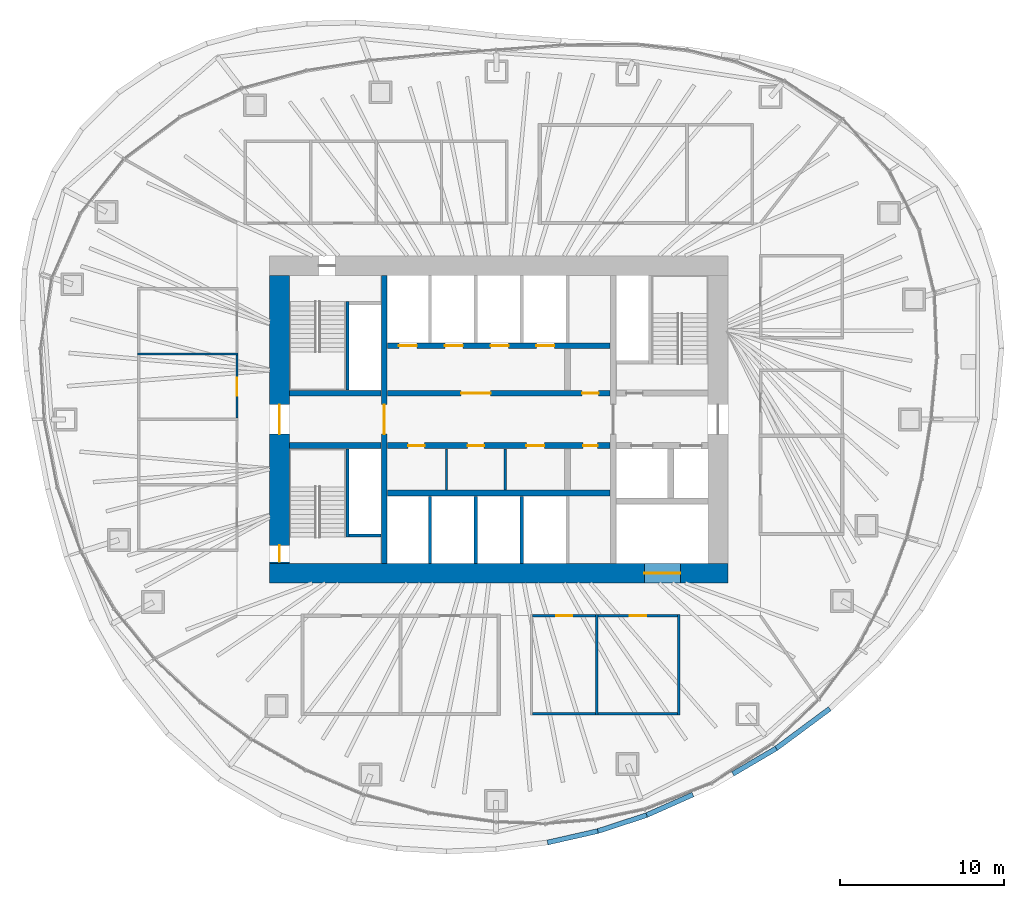
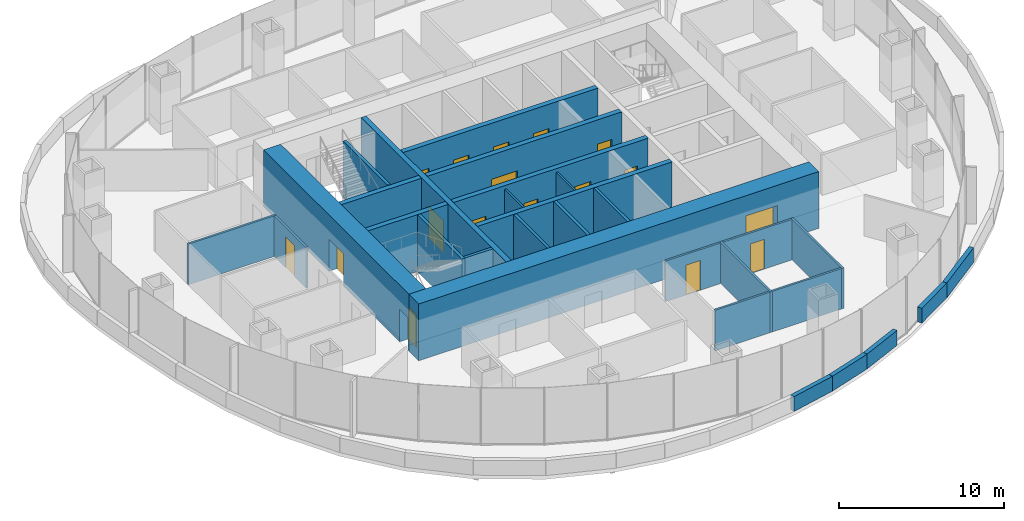
# One storey, part 9 of 12: 30 walls, 17 doors, 17 openings.
"""IFC4 building model written with IfcOpenShell, lengths in metres."""

from ifc_helpers import new_model, si_unit, direction, frame, frame_2d, origin, place, context, subcontext, project, spatial, rectangle, extrude, material, layer, layer_set, type_object, element, fill, save


model = new_model("IFC4")

# Units and contexts
model_context = context("Model", 3, precision=1e-05, world=origin(), true_north=direction((0.0, 1.0)))
body_context = subcontext(model_context, "Body", "Model", "MODEL_VIEW")
ifc_project = project(units=[si_unit("LENGTHUNIT", "METRE"), si_unit("AREAUNIT", "SQUARE_METRE"), si_unit("VOLUMEUNIT", "CUBIC_METRE"), si_unit("PLANEANGLEUNIT", "RADIAN"), si_unit("MASSUNIT", "GRAM", prefix="KILO")], contexts=[model_context])

# Site, building, storey
site_placement = place(None, origin())
site = spatial("IfcSite", under=ifc_project, at=site_placement, CompositionType="ELEMENT")
building_placement = place(site_placement, origin())
building = spatial("IfcBuilding", under=site, at=building_placement, Name="Ghaith Harvest Tower", CompositionType="ELEMENT")
storey_placement = place(building_placement, frame((0.0, 0.0, 194.800048828125)))
storey = spatial("IfcBuildingStorey", under=building, at=storey_placement, Name="L42", CompositionType="ELEMENT", Elevation=194.800048828125)

# Walls
ifc_material_1 = material(Name="Concrete blockwork, fair-faced", Category="masonry")
ifc_layer_1 = layer(ifc_material_1, 0.139892578125)
ifc_layer_set_1 = layer_set([ifc_layer_1], Name="CORE PARTITION 140")
wall_type_1 = type_object("IfcWallType", Name="CORE PARTITION 140", PredefinedType="PARTITIONING", material=ifc_layer_set_1)
for number, where, z_axis, x_axis, name in (
    (1, (-3.199951171875, -1.800048828125, 0.0), (0.0, 0.0, 1.0), (0.0, -1.0, 0.0), "Core partition L42"),
    (2, (0.39990234375, -1.800048828125, 0.0), (0.0, 0.0, 1.0), (0.0, -1.0, 0.0), "Core partition L42"),
):
    element("IfcWall", number, at=place(storey_placement, frame(where, z_axis=z_axis, x_axis=x_axis)), inside=storey, type_object=wall_type_1, Name=name, PredefinedType="PARTITIONING", context=body_context, shape_type="SweptSolid", body=[
        extrude(rectangle(XDim=2.5, YDim=0.139892578125, at=frame_2d((1.25, 0.0))), origin(), (0.0, 0.0, 1.0), 3.949951171875),
    ])

# Wall, opening, door
ifc_material_2 = material(Name="Concrete C60/75", Category="concrete")
ifc_layer_2 = layer(ifc_material_2, 1.199951171875)
ifc_layer_set_2 = layer_set([ifc_layer_2], Name="CORE WALL CW1200 C60")
wall_type_2 = type_object("IfcWallType", Name="CORE WALL CW1200 C60", PredefinedType="SHEAR", material=ifc_layer_set_2)
wall_1_placement = place(storey_placement, frame((-14.0, -9.39990234375, 0.0), z_axis=(0.0, 0.0, 1.0), x_axis=(1.0, 0.0, 0.0)))
wall_1 = element("IfcWall", 3, at=wall_1_placement, inside=storey, type_object=wall_type_2, Name="Core wall S L42", PredefinedType="SHEAR", context=body_context, shape_type="SweptSolid", body=[
    extrude(rectangle(XDim=28.0, YDim=1.199951171875, at=frame_2d((14.0, 0.0))), origin(), (0.0, 0.0, 1.0), 4.199951171875),
])
opening_1_placement = place(wall_1_placement, frame((22.89990234375, 0.0, 0.0)))
opening_1 = element("IfcOpeningElement", 4, at=opening_1_placement, cuts=wall_1, Name="Opening 42-020", PredefinedType="OPENING", context=body_context, shape_type="SweptSolid", body=[
    extrude(rectangle(XDim=2.199951171875, YDim=2.699951171875, at=frame_2d((1.10009765625, 1.35009765625))), frame((0.0, 0.60986328125, 0.0), z_axis=(0.0, -1.0, 0.0), x_axis=(1.0, 0.0, 0.0)), (0.0, 0.0, 1.0), 1.219970703125),
])
ifc_material_3 = material(Name="Steel fire door", Category="steel")
door_type_1 = type_object("IfcDoorType", Name="LD3 LANDING 2200x2700", OperationType="DOUBLE_DOOR_SLIDING", PredefinedType="DOOR", material=ifc_material_3)
door_1_placement = place(opening_1_placement, origin())
door_1 = element("IfcDoor", 5, at=door_1_placement, inside=storey, type_object=door_type_1, Name="Landing door, goods lift GL1", OperationType="DOUBLE_DOOR_SLIDING", OverallHeight=2.699951171875, OverallWidth=2.199951171875, PredefinedType="DOOR", context=body_context, shape_type="SweptSolid", body=[
    extrude(rectangle(XDim=2.199951171875, YDim=2.699951171875, at=frame_2d((1.10009765625, 1.35009765625))), frame((0.0, 0.02490234375, 0.0), z_axis=(0.0, -1.0, 0.0), x_axis=(1.0, 0.0, 0.0)), (0.0, 0.0, 1.0), 0.050048828125),
])
fill(opening_1, door_1)

# Wall, openings, doors
wall_2_placement = place(storey_placement, frame((-13.39990234375, 8.800048828125, 0.0), z_axis=(0.0, 0.0, 1.0), x_axis=(0.0, -1.0, 0.0)))
wall_2 = element("IfcWall", 6, at=wall_2_placement, inside=storey, type_object=wall_type_2, Name="Core wall W L42", PredefinedType="SHEAR", context=body_context, shape_type="SweptSolid", body=[
    extrude(rectangle(XDim=17.60009765625, YDim=1.199951171875, at=frame_2d((8.800048828125, 0.0))), origin(), (0.0, 0.0, 1.0), 4.199951171875),
])
opening_2_placement = place(wall_2_placement, frame((7.89990234375, 0.0, 0.0)))
opening_2 = element("IfcOpeningElement", 7, at=opening_2_placement, cuts=wall_2, Name="Opening 42-001", PredefinedType="OPENING", context=body_context, shape_type="SweptSolid", body=[
    extrude(rectangle(XDim=1.800048828125, YDim=2.39990234375, at=frame_2d((0.89990234375, 1.199951171875))), frame((0.0, 0.60986328125, 0.0), z_axis=(0.0, -1.0, 0.0), x_axis=(1.0, 0.0, 0.0)), (0.0, 0.0, 1.0), 1.219970703125),
])
opening_3_placement = place(wall_2_placement, frame((16.5, 0.0, 0.0)))
opening_3 = element("IfcOpeningElement", 8, at=opening_3_placement, cuts=wall_2, Name="Opening 42-006", PredefinedType="OPENING", context=body_context, shape_type="SweptSolid", body=[
    extrude(rectangle(XDim=1.0, YDim=2.39990234375, at=frame_2d((0.5, 1.199951171875))), frame((0.0, 0.60986328125, 0.0), z_axis=(0.0, -1.0, 0.0), x_axis=(1.0, 0.0, 0.0)), (0.0, 0.0, 1.0), 1.219970703125),
])
ifc_material_4 = material(Name="Steel fire door", Category="steel")
door_type_2 = type_object("IfcDoorType", Name="D3 FD90 1000x2400", OperationType="SINGLE_SWING_LEFT", PredefinedType="DOOR", material=ifc_material_4)
door_2_placement = place(opening_3_placement, origin())
door_2 = element("IfcDoor", 9, at=door_2_placement, inside=storey, type_object=door_type_2, Name="Stair ST3 door", OperationType="SINGLE_SWING_RIGHT", OverallHeight=2.39990234375, OverallWidth=1.0, PredefinedType="DOOR", context=body_context, shape_type="SweptSolid", body=[
    extrude(rectangle(XDim=1.0, YDim=2.39990234375, at=frame_2d((0.5, 1.199951171875))), frame((0.0, 0.02490234375, 0.0), z_axis=(0.0, -1.0, 0.0), x_axis=(1.0, 0.0, 0.0)), (0.0, 0.0, 1.0), 0.050048828125),
])
fill(opening_3, door_2)
ifc_material_5 = material(Name="Steel fire door", Category="steel")
door_type_3 = type_object("IfcDoorType", Name="D4 FD90 PAIR 1800x2400", OperationType="DOUBLE_DOOR_SINGLE_SWING", PredefinedType="DOOR", material=ifc_material_5)
door_3_placement = place(opening_2_placement, origin())
door_3 = element("IfcDoor", 10, at=door_3_placement, inside=storey, type_object=door_type_3, Name="West lobby doors", OperationType="DOUBLE_DOOR_SINGLE_SWING", OverallHeight=2.39990234375, OverallWidth=1.800048828125, PredefinedType="DOOR", context=body_context, shape_type="SweptSolid", body=[
    extrude(rectangle(XDim=1.800048828125, YDim=2.39990234375, at=frame_2d((0.89990234375, 1.199951171875))), frame((0.0, 0.02490234375, 0.0), z_axis=(0.0, -1.0, 0.0), x_axis=(1.0, 0.0, 0.0)), (0.0, 0.0, 1.0), 0.050048828125),
])
fill(opening_2, door_3)

# Walls
ifc_material_6 = material(Name="Concrete blockwork, 2-hour", Category="masonry")
ifc_layer_3 = layer(ifc_material_6, 0.199951171875)
ifc_layer_set_3 = layer_set([ifc_layer_3], Name="LIFT SHAFT WALL 200")
wall_type_3 = type_object("IfcWallType", Name="LIFT SHAFT WALL 200", PredefinedType="PARTITIONING", material=ifc_layer_set_3)
for number, where, z_axis, x_axis, name in (
    (11, (-4.199951171875, -4.699951171875, 0.0), (0.0, 0.0, 1.0), (0.0, -1.0, 0.0), "Lift shaft wall L42"),
    (12, (-1.39990234375, -4.699951171875, 0.0), (0.0, 0.0, 1.0), (0.0, -1.0, 0.0), "Lift shaft wall L42"),
    (13, (1.39990234375, -4.699951171875, 0.0), (0.0, 0.0, 1.0), (0.0, -1.0, 0.0), "Lift shaft wall L42"),
):
    element("IfcWall", number, at=place(storey_placement, frame(where, z_axis=z_axis, x_axis=x_axis)), inside=storey, type_object=wall_type_3, Name=name, PredefinedType="PARTITIONING", context=body_context, shape_type="SweptSolid", body=[
        extrude(rectangle(XDim=4.10009765625, YDim=0.199951171875, at=frame_2d((2.050048828125, 0.0))), origin(), (0.0, 0.0, 1.0), 4.199951171875),
    ])
ifc_material_7 = material(Name="Concrete C40/50", Category="concrete")
ifc_layer_4 = layer(ifc_material_7, 0.300048828125)
ifc_layer_set_4 = layer_set([ifc_layer_4], Name="PARAPET 300")
wall_type_4 = type_object("IfcWallType", Name="PARAPET 300", PredefinedType="PARAPET", material=ifc_layer_set_4)
wall_3_placement = place(storey_placement, frame((2.97900390625, -25.861083984375, 0.0), z_axis=(0.0, 0.0, 1.0), x_axis=(0.975240636429, 0.221146334038, 0.0)))
element("IfcWall", 14, at=wall_3_placement, inside=storey, type_object=wall_type_4, Name="Parapet 16.2 L42", PredefinedType="PARAPET", context=body_context, shape_type="SweptSolid", body=[
    extrude(rectangle(XDim=3.15625, YDim=0.300048828125, at=frame_2d((1.578125, 0.0))), origin(), (0.0, 0.0, 1.0), 1.099853515625),
])
wall_4_placement = place(storey_placement, frame((6.05712890625, -25.1630859375, 0.0), z_axis=(0.0, 0.0, 1.0), x_axis=(0.950395039811, 0.311045444113, 0.0)))
element("IfcWall", 15, at=wall_4_placement, inside=storey, type_object=wall_type_4, Name="Parapet 16.3 L42", PredefinedType="PARAPET", context=body_context, shape_type="SweptSolid", body=[
    extrude(rectangle(XDim=3.140380859375, YDim=0.300048828125, at=frame_2d((1.5703125, 0.0))), origin(), (0.0, 0.0, 1.0), 1.099853515625),
])
wall_5_placement = place(storey_placement, frame((9.041748046875, -24.186279296875, 0.0), z_axis=(0.0, 0.0, 1.0), x_axis=(0.913214053774, 0.407480173739, 0.0)))
element("IfcWall", 16, at=wall_5_placement, inside=storey, type_object=wall_type_4, Name="Parapet 17.1 L42", PredefinedType="PARAPET", context=body_context, shape_type="SweptSolid", body=[
    extrude(rectangle(XDim=3.088623046875, YDim=0.300048828125, at=frame_2d((1.54443359375, 0.0))), origin(), (0.0, 0.0, 1.0), 1.099853515625),
])
wall_6_placement = place(storey_placement, frame((14.309326171875, -21.6640625, 0.0), z_axis=(0.0, 0.0, 1.0), x_axis=(0.862426346501, 0.506182572656, 0.0)))
element("IfcWall", 17, at=wall_6_placement, inside=storey, type_object=wall_type_4, Name="Parapet 17.2 L42", PredefinedType="PARAPET", context=body_context, shape_type="SweptSolid", body=[
    extrude(rectangle(XDim=3.07080078125, YDim=0.300048828125, at=frame_2d((1.535400390625, 0.0))), origin(), (0.0, 0.0, 1.0), 1.099853515625),
])
wall_7_placement = place(storey_placement, frame((16.957763671875, -20.109619140625, 0.0), z_axis=(0.0, 0.0, 1.0), x_axis=(0.803271187039, 0.595613465322, 0.0)))
element("IfcWall", 18, at=wall_7_placement, inside=storey, type_object=wall_type_4, Name="Parapet 18.1 L42", PredefinedType="PARAPET", context=body_context, shape_type="SweptSolid", body=[
    extrude(rectangle(XDim=4.069091796875, YDim=0.300048828125, at=frame_2d((2.03466796875, 0.0))), origin(), (0.0, 0.0, 1.0), 1.099853515625),
])
ifc_material_8 = material(Name="Gypsum board on steel studs", Category="steel")
ifc_layer_5 = layer(ifc_material_8, 0.14990234375)
ifc_layer_set_5 = layer_set([ifc_layer_5], Name="PARTITION 150")
wall_type_5 = type_object("IfcWallType", Name="PARTITION 150", PredefinedType="PARTITIONING", material=ifc_layer_set_5)
for number, where, z_axis, x_axis, name in (
    (19, (6.0, -11.925048828125, 0.0), (0.0, 0.0, 1.0), (0.0, -1.0, 0.0), "Partition L42 row S4 cross wall 2"),
    (20, (11.0, -11.925048828125, 0.0), (0.0, 0.0, 1.0), (0.0, -1.0, 0.0), "Partition L42 row S4 cross wall 3"),
):
    element("IfcWall", number, at=place(storey_placement, frame(where, z_axis=z_axis, x_axis=x_axis)), inside=storey, type_object=wall_type_5, Name=name, PredefinedType="PARTITIONING", context=body_context, shape_type="SweptSolid", body=[
        extrude(rectangle(XDim=6.14990234375, YDim=0.14990234375, at=frame_2d((3.074951171875, 0.0))), origin(), (0.0, 0.0, 1.0), 3.0),
    ])

# Wall, opening, door
wall_8_placement = place(storey_placement, frame((2.074951171875, -12.0, 0.0), z_axis=(0.0, 0.0, 1.0), x_axis=(1.0, 0.0, 0.0)))
wall_8 = element("IfcWall", 21, at=wall_8_placement, inside=storey, type_object=wall_type_5, Name="Partition L42-09", PredefinedType="PARTITIONING", context=body_context, shape_type="SweptSolid", body=[
    extrude(rectangle(XDim=3.85009765625, YDim=0.14990234375, at=frame_2d((1.925048828125, 0.0))), origin(), (0.0, 0.0, 1.0), 3.0),
])
opening_4_placement = place(wall_8_placement, frame((1.425048828125, 0.0, 0.0)))
opening_4 = element("IfcOpeningElement", 22, at=opening_4_placement, cuts=wall_8, Name="Opening 42-029", PredefinedType="OPENING", context=body_context, shape_type="SweptSolid", body=[
    extrude(rectangle(XDim=1.0, YDim=2.199951171875, at=frame_2d((0.5, 1.10009765625))), frame((0.0, 0.0849609375, 0.0), z_axis=(0.0, -1.0, 0.0), x_axis=(1.0, 0.0, 0.0)), (0.0, 0.0, 1.0), 0.169921875),
])
ifc_material_9 = material(Name="Timber door", Category="wood")
door_type_4 = type_object("IfcDoorType", Name="D1 SINGLE 1000x2200", OperationType="SINGLE_SWING_LEFT", PredefinedType="DOOR", material=ifc_material_9)
door_4_placement = place(opening_4_placement, origin())
door_4 = element("IfcDoor", 23, at=door_4_placement, inside=storey, type_object=door_type_4, Name="Store door", OperationType="SINGLE_SWING_LEFT", OverallHeight=2.199951171875, OverallWidth=1.0, PredefinedType="DOOR", context=body_context, shape_type="SweptSolid", body=[
    extrude(rectangle(XDim=1.0, YDim=2.199951171875, at=frame_2d((0.5, 1.10009765625))), frame((0.0, 0.02490234375, 0.0), z_axis=(0.0, -1.0, 0.0), x_axis=(1.0, 0.0, 0.0)), (0.0, 0.0, 1.0), 0.050048828125),
])
fill(opening_4, door_4)

# Wall
wall_9_placement = place(storey_placement, frame((2.074951171875, -18.0, 0.0), z_axis=(0.0, 0.0, 1.0), x_axis=(1.0, 0.0, 0.0)))
element("IfcWall", 24, at=wall_9_placement, inside=storey, type_object=wall_type_5, Name="Partition L42-09", PredefinedType="PARTITIONING", context=body_context, shape_type="SweptSolid", body=[
    extrude(rectangle(XDim=3.85009765625, YDim=0.14990234375, at=frame_2d((1.925048828125, 0.0))), origin(), (0.0, 0.0, 1.0), 3.0),
])

# Wall, opening, door
wall_10_placement = place(storey_placement, frame((6.074951171875, -12.0, 0.0), z_axis=(0.0, 0.0, 1.0), x_axis=(1.0, 0.0, 0.0)))
wall_10 = element("IfcWall", 25, at=wall_10_placement, inside=storey, type_object=wall_type_5, Name="Partition L42-10", PredefinedType="PARTITIONING", context=body_context, shape_type="SweptSolid", body=[
    extrude(rectangle(XDim=4.85009765625, YDim=0.14990234375, at=frame_2d((2.425048828125, 0.0))), origin(), (0.0, 0.0, 1.0), 3.0),
])
opening_5_placement = place(wall_10_placement, frame((1.925048828125, 0.0, 0.0)))
opening_5 = element("IfcOpeningElement", 26, at=opening_5_placement, cuts=wall_10, Name="Opening 42-030", PredefinedType="OPENING", context=body_context, shape_type="SweptSolid", body=[
    extrude(rectangle(XDim=1.0, YDim=2.199951171875, at=frame_2d((0.5, 1.10009765625))), frame((0.0, 0.0849609375, 0.0), z_axis=(0.0, -1.0, 0.0), x_axis=(1.0, 0.0, 0.0)), (0.0, 0.0, 1.0), 0.169921875),
])
door_5_placement = place(opening_5_placement, origin())
door_5 = element("IfcDoor", 27, at=door_5_placement, inside=storey, type_object=door_type_4, Name="Print room door", OperationType="SINGLE_SWING_LEFT", OverallHeight=2.199951171875, OverallWidth=1.0, PredefinedType="DOOR", context=body_context, shape_type="SweptSolid", body=[
    extrude(rectangle(XDim=1.0, YDim=2.199951171875, at=frame_2d((0.5, 1.10009765625))), frame((0.0, 0.02490234375, 0.0), z_axis=(0.0, -1.0, 0.0), x_axis=(1.0, 0.0, 0.0)), (0.0, 0.0, 1.0), 0.050048828125),
])
fill(opening_5, door_5)

# Walls
wall_11_placement = place(storey_placement, frame((6.074951171875, -18.0, 0.0), z_axis=(0.0, 0.0, 1.0), x_axis=(1.0, 0.0, 0.0)))
element("IfcWall", 28, at=wall_11_placement, inside=storey, type_object=wall_type_5, Name="Partition L42-10", PredefinedType="PARTITIONING", context=body_context, shape_type="SweptSolid", body=[
    extrude(rectangle(XDim=4.85009765625, YDim=0.14990234375, at=frame_2d((2.425048828125, 0.0))), origin(), (0.0, 0.0, 1.0), 3.0),
])
wall_12_placement = place(storey_placement, frame((-15.925048828125, 4.0, 0.0), z_axis=(0.0, 0.0, 1.0), x_axis=(-1.0, 0.0, 0.0)))
element("IfcWall", 29, at=wall_12_placement, inside=storey, type_object=wall_type_5, Name="Partition L42 row W6 cross wall 4", PredefinedType="PARTITIONING", context=body_context, shape_type="SweptSolid", body=[
    extrude(rectangle(XDim=6.14990234375, YDim=0.14990234375, at=frame_2d((3.074951171875, 0.0))), origin(), (0.0, 0.0, 1.0), 3.0),
])

# Wall, opening, door
wall_13_placement = place(storey_placement, frame((-16.0, 0.074951171875, 0.0), z_axis=(0.0, 0.0, 1.0), x_axis=(0.0, 1.0, 0.0)))
wall_13 = element("IfcWall", 30, at=wall_13_placement, inside=storey, type_object=wall_type_5, Name="Partition L42-15", PredefinedType="PARTITIONING", context=body_context, shape_type="SweptSolid", body=[
    extrude(rectangle(XDim=3.85009765625, YDim=0.14990234375, at=frame_2d((1.925048828125, 0.0))), origin(), (0.0, 0.0, 1.0), 3.0),
])
opening_6_placement = place(wall_13_placement, frame((1.375, 0.0, 0.0)))
opening_6 = element("IfcOpeningElement", 31, at=opening_6_placement, cuts=wall_13, Name="Opening 42-035", PredefinedType="OPENING", context=body_context, shape_type="SweptSolid", body=[
    extrude(rectangle(XDim=1.10009765625, YDim=2.300048828125, at=frame_2d((0.550048828125, 1.14990234375))), frame((0.0, 0.0849609375, 0.0), z_axis=(0.0, -1.0, 0.0), x_axis=(1.0, 0.0, 0.0)), (0.0, 0.0, 1.0), 0.169921875),
])
ifc_material_10 = material(Name="Timber-framed glazed door", Category="wood")
door_type_5 = type_object("IfcDoorType", Name="D12 GLAZED OFFICE 1100x2300", OperationType="SINGLE_SWING_LEFT", PredefinedType="DOOR", material=ifc_material_10)
door_6_placement = place(opening_6_placement, origin())
door_6 = element("IfcDoor", 32, at=door_6_placement, inside=storey, type_object=door_type_5, Name="Office door", OperationType="SINGLE_SWING_LEFT", OverallHeight=2.300048828125, OverallWidth=1.10009765625, PredefinedType="DOOR", context=body_context, shape_type="SweptSolid", body=[
    extrude(rectangle(XDim=1.10009765625, YDim=2.300048828125, at=frame_2d((0.550048828125, 1.14990234375))), frame((0.0, 0.02490234375, 0.0), z_axis=(0.0, -1.0, 0.0), x_axis=(1.0, 0.0, 0.0)), (0.0, 0.0, 1.0), 0.050048828125),
])
fill(opening_6, door_6)

ifc_material_11 = material(Name="Concrete C60/75", Category="concrete")
ifc_layer_6 = layer(ifc_material_11, 0.35009765625)
ifc_layer_set_6 = layer_set([ifc_layer_6], Name="SHAFT WALL 350")
wall_type_6 = type_object("IfcWallType", Name="SHAFT WALL 350", PredefinedType="SHEAR", material=ifc_layer_set_6)
wall_14_placement = place(storey_placement, frame((-7.0, -8.800048828125, 0.0), z_axis=(0.0, 0.0, 1.0), x_axis=(0.0, 1.0, 0.0)))
wall_14 = element("IfcWall", 33, at=wall_14_placement, inside=storey, type_object=wall_type_6, Name="Shaft wall W7W L42", PredefinedType="SHEAR", context=body_context, shape_type="SweptSolid", body=[
    extrude(rectangle(XDim=17.60009765625, YDim=0.35009765625, at=frame_2d((8.800048828125, 0.0))), origin(), (0.0, 0.0, 1.0), 4.199951171875),
])
opening_7_placement = place(wall_14_placement, frame((7.89990234375, 0.0, 0.0)))
opening_7 = element("IfcOpeningElement", 34, at=opening_7_placement, cuts=wall_14, Name="Opening 42-003", PredefinedType="OPENING", context=body_context, shape_type="SweptSolid", body=[
    extrude(rectangle(XDim=1.800048828125, YDim=2.39990234375, at=frame_2d((0.89990234375, 1.199951171875))), frame((0.0, 0.18505859375, 0.0), z_axis=(0.0, -1.0, 0.0), x_axis=(1.0, 0.0, 0.0)), (0.0, 0.0, 1.0), 0.3701171875),
])
door_7_placement = place(opening_7_placement, origin())
door_7 = element("IfcDoor", 35, at=door_7_placement, inside=storey, type_object=door_type_3, Name="Lift lobby doors, west", OperationType="DOUBLE_DOOR_SINGLE_SWING", OverallHeight=2.39990234375, OverallWidth=1.800048828125, PredefinedType="DOOR", context=body_context, shape_type="SweptSolid", body=[
    extrude(rectangle(XDim=1.800048828125, YDim=2.39990234375, at=frame_2d((0.89990234375, 1.199951171875))), frame((0.0, 0.02490234375, 0.0), z_axis=(0.0, -1.0, 0.0), x_axis=(1.0, 0.0, 0.0)), (0.0, 0.0, 1.0), 0.050048828125),
])
fill(opening_7, door_7)

# Wall, openings, doors
wall_15_placement = place(storey_placement, frame((-6.800048828125, 1.60009765625, 0.0), z_axis=(0.0, 0.0, 1.0), x_axis=(1.0, 0.0, 0.0)))
wall_15 = element("IfcWall", 36, at=wall_15_placement, inside=storey, type_object=wall_type_6, Name="Shaft wall LN L42", PredefinedType="SHEAR", context=body_context, shape_type="SweptSolid", body=[
    extrude(rectangle(XDim=13.60009765625, YDim=0.35009765625, at=frame_2d((6.800048828125, 0.0))), origin(), (0.0, 0.0, 1.0), 4.199951171875),
])
opening_8_placement = place(wall_15_placement, frame((11.89990234375, 0.0, 0.0)))
opening_8 = element("IfcOpeningElement", 37, at=opening_8_placement, cuts=wall_15, Name="Opening 42-011", PredefinedType="OPENING", context=body_context, shape_type="SweptSolid", body=[
    extrude(rectangle(XDim=1.0, YDim=2.39990234375, at=frame_2d((0.5, 1.199951171875))), frame((0.0, 0.18505859375, 0.0), z_axis=(0.0, -1.0, 0.0), x_axis=(1.0, 0.0, 0.0)), (0.0, 0.0, 1.0), 0.3701171875),
])
opening_9_placement = place(wall_15_placement, frame((4.5, 0.0, 0.0)))
opening_9 = element("IfcOpeningElement", 38, at=opening_9_placement, cuts=wall_15, Name="Opening 42-013", PredefinedType="OPENING", context=body_context, shape_type="SweptSolid", body=[
    extrude(rectangle(XDim=1.800048828125, YDim=2.39990234375, at=frame_2d((0.89990234375, 1.199951171875))), frame((0.0, 0.18505859375, 0.0), z_axis=(0.0, -1.0, 0.0), x_axis=(1.0, 0.0, 0.0)), (0.0, 0.0, 1.0), 0.3701171875),
])
door_8_placement = place(opening_8_placement, origin())
door_8 = element("IfcDoor", 39, at=door_8_placement, inside=storey, type_object=door_type_2, Name="Electrical room door", OperationType="SINGLE_SWING_RIGHT", OverallHeight=2.39990234375, OverallWidth=1.0, PredefinedType="DOOR", context=body_context, shape_type="SweptSolid", body=[
    extrude(rectangle(XDim=1.0, YDim=2.39990234375, at=frame_2d((0.5, 1.199951171875))), frame((0.0, 0.02490234375, 0.0), z_axis=(0.0, -1.0, 0.0), x_axis=(1.0, 0.0, 0.0)), (0.0, 0.0, 1.0), 0.050048828125),
])
fill(opening_8, door_8)
door_9_placement = place(opening_9_placement, origin())
door_9 = element("IfcDoor", 40, at=door_9_placement, inside=storey, type_object=door_type_3, Name="Lift lobby doors, high-rise bank", OperationType="DOUBLE_DOOR_SINGLE_SWING", OverallHeight=2.39990234375, OverallWidth=1.800048828125, PredefinedType="DOOR", context=body_context, shape_type="SweptSolid", body=[
    extrude(rectangle(XDim=1.800048828125, YDim=2.39990234375, at=frame_2d((0.89990234375, 1.199951171875))), frame((0.0, 0.02490234375, 0.0), z_axis=(0.0, -1.0, 0.0), x_axis=(1.0, 0.0, 0.0)), (0.0, 0.0, 1.0), 0.050048828125),
])
fill(opening_9, door_9)

wall_16_placement = place(storey_placement, frame((-6.800048828125, -1.60009765625, 0.0), z_axis=(0.0, 0.0, 1.0), x_axis=(1.0, 0.0, 0.0)))
wall_16 = element("IfcWall", 41, at=wall_16_placement, inside=storey, type_object=wall_type_6, Name="Shaft wall LS L42", PredefinedType="SHEAR", context=body_context, shape_type="SweptSolid", body=[
    extrude(rectangle(XDim=13.60009765625, YDim=0.35009765625, at=frame_2d((6.800048828125, 0.0))), origin(), (0.0, 0.0, 1.0), 4.199951171875),
])
opening_10_placement = place(wall_16_placement, frame((1.264892578125, 0.0, 0.0)))
opening_10 = element("IfcOpeningElement", 42, at=opening_10_placement, cuts=wall_16, Name="Opening 42-008", PredefinedType="OPENING", context=body_context, shape_type="SweptSolid", body=[
    extrude(rectangle(XDim=1.0, YDim=2.39990234375, at=frame_2d((0.5, 1.199951171875))), frame((0.0, 0.18505859375, 0.0), z_axis=(0.0, -1.0, 0.0), x_axis=(1.0, 0.0, 0.0)), (0.0, 0.0, 1.0), 0.3701171875),
])
opening_11_placement = place(wall_16_placement, frame((4.89990234375, 0.0, 0.0)))
opening_11 = element("IfcOpeningElement", 43, at=opening_11_placement, cuts=wall_16, Name="Opening 42-009", PredefinedType="OPENING", context=body_context, shape_type="SweptSolid", body=[
    extrude(rectangle(XDim=1.0, YDim=2.39990234375, at=frame_2d((0.5, 1.199951171875))), frame((0.0, 0.18505859375, 0.0), z_axis=(0.0, -1.0, 0.0), x_axis=(1.0, 0.0, 0.0)), (0.0, 0.0, 1.0), 0.3701171875),
])
opening_12_placement = place(wall_16_placement, frame((8.485107421875, 0.0, 0.0)))
opening_12 = element("IfcOpeningElement", 44, at=opening_12_placement, cuts=wall_16, Name="Opening 42-010", PredefinedType="OPENING", context=body_context, shape_type="SweptSolid", body=[
    extrude(rectangle(XDim=1.10009765625, YDim=2.39990234375, at=frame_2d((0.550048828125, 1.199951171875))), frame((0.0, 0.18505859375, 0.0), z_axis=(0.0, -1.0, 0.0), x_axis=(1.0, 0.0, 0.0)), (0.0, 0.0, 1.0), 0.3701171875),
])
opening_13_placement = place(wall_16_placement, frame((11.949951171875, 0.0, 0.0)))
opening_13 = element("IfcOpeningElement", 45, at=opening_13_placement, cuts=wall_16, Name="Opening 42-012", PredefinedType="OPENING", context=body_context, shape_type="SweptSolid", body=[
    extrude(rectangle(XDim=0.89990234375, YDim=2.39990234375, at=frame_2d((0.449951171875, 1.199951171875))), frame((0.0, 0.18505859375, 0.0), z_axis=(0.0, -1.0, 0.0), x_axis=(1.0, 0.0, 0.0)), (0.0, 0.0, 1.0), 0.3701171875),
])
door_10_placement = place(opening_10_placement, origin())
door_10 = element("IfcDoor", 46, at=door_10_placement, inside=storey, type_object=door_type_2, Name="Male WC door", OperationType="SINGLE_SWING_LEFT", OverallHeight=2.39990234375, OverallWidth=1.0, PredefinedType="DOOR", context=body_context, shape_type="SweptSolid", body=[
    extrude(rectangle(XDim=1.0, YDim=2.39990234375, at=frame_2d((0.5, 1.199951171875))), frame((0.0, 0.02490234375, 0.0), z_axis=(0.0, -1.0, 0.0), x_axis=(1.0, 0.0, 0.0)), (0.0, 0.0, 1.0), 0.050048828125),
])
fill(opening_10, door_10)
door_11_placement = place(opening_11_placement, origin())
door_11 = element("IfcDoor", 47, at=door_11_placement, inside=storey, type_object=door_type_2, Name="Female WC door", OperationType="SINGLE_SWING_LEFT", OverallHeight=2.39990234375, OverallWidth=1.0, PredefinedType="DOOR", context=body_context, shape_type="SweptSolid", body=[
    extrude(rectangle(XDim=1.0, YDim=2.39990234375, at=frame_2d((0.5, 1.199951171875))), frame((0.0, 0.02490234375, 0.0), z_axis=(0.0, -1.0, 0.0), x_axis=(1.0, 0.0, 0.0)), (0.0, 0.0, 1.0), 0.050048828125),
])
fill(opening_11, door_11)
ifc_material_12 = material(Name="Steel fire door", Category="steel")
door_type_6 = type_object("IfcDoorType", Name="D5 FD90 900x2400", OperationType="SINGLE_SWING_LEFT", PredefinedType="DOOR", material=ifc_material_12)
door_12_placement = place(opening_13_placement, origin())
door_12 = element("IfcDoor", 48, at=door_12_placement, inside=storey, type_object=door_type_6, Name="Cleaner's store door", OperationType="SINGLE_SWING_RIGHT", OverallHeight=2.39990234375, OverallWidth=0.89990234375, PredefinedType="DOOR", context=body_context, shape_type="SweptSolid", body=[
    extrude(rectangle(XDim=0.89990234375, YDim=2.39990234375, at=frame_2d((0.449951171875, 1.199951171875))), frame((0.0, 0.02490234375, 0.0), z_axis=(0.0, -1.0, 0.0), x_axis=(1.0, 0.0, 0.0)), (0.0, 0.0, 1.0), 0.050048828125),
])
fill(opening_13, door_12)
ifc_material_13 = material(Name="Steel fire door", Category="steel")
door_type_7 = type_object("IfcDoorType", Name="D9 FD90 1100x2400", OperationType="SINGLE_SWING_LEFT", PredefinedType="DOOR", material=ifc_material_13)
door_13_placement = place(opening_12_placement, origin())
door_13 = element("IfcDoor", 49, at=door_13_placement, inside=storey, type_object=door_type_7, Name="Accessible WC door", OperationType="SINGLE_SWING_RIGHT", OverallHeight=2.39990234375, OverallWidth=1.10009765625, PredefinedType="DOOR", context=body_context, shape_type="SweptSolid", body=[
    extrude(rectangle(XDim=1.10009765625, YDim=2.39990234375, at=frame_2d((0.550048828125, 1.199951171875))), frame((0.0, 0.02490234375, 0.0), z_axis=(0.0, -1.0, 0.0), x_axis=(1.0, 0.0, 0.0)), (0.0, 0.0, 1.0), 0.050048828125),
])
fill(opening_12, door_13)

wall_17_placement = place(storey_placement, frame((-6.800048828125, 4.5, 0.0), z_axis=(0.0, 0.0, 1.0), x_axis=(1.0, 0.0, 0.0)))
wall_17 = element("IfcWall", 50, at=wall_17_placement, inside=storey, type_object=wall_type_6, Name="Shaft wall BN L42", PredefinedType="SHEAR", context=body_context, shape_type="SweptSolid", body=[
    extrude(rectangle(XDim=13.60009765625, YDim=0.35009765625, at=frame_2d((6.800048828125, 0.0))), origin(), (0.0, 0.0, 1.0), 4.199951171875),
])
opening_14_placement = place(wall_17_placement, frame((0.699951171875, 0.0, 0.0)))
opening_14 = element("IfcOpeningElement", 51, at=opening_14_placement, cuts=wall_17, Name="Opening 42-014", PredefinedType="OPENING", context=body_context, shape_type="SweptSolid", body=[
    extrude(rectangle(XDim=1.10009765625, YDim=2.39990234375, at=frame_2d((0.550048828125, 1.199951171875))), frame((0.0, 0.18505859375, 0.0), z_axis=(0.0, -1.0, 0.0), x_axis=(1.0, 0.0, 0.0)), (0.0, 0.0, 1.0), 0.3701171875),
])
opening_15_placement = place(wall_17_placement, frame((3.5, 0.0, 0.0)))
opening_15 = element("IfcOpeningElement", 52, at=opening_15_placement, cuts=wall_17, Name="Opening 42-015", PredefinedType="OPENING", context=body_context, shape_type="SweptSolid", body=[
    extrude(rectangle(XDim=1.10009765625, YDim=2.39990234375, at=frame_2d((0.550048828125, 1.199951171875))), frame((0.0, 0.18505859375, 0.0), z_axis=(0.0, -1.0, 0.0), x_axis=(1.0, 0.0, 0.0)), (0.0, 0.0, 1.0), 0.3701171875),
])
opening_16_placement = place(wall_17_placement, frame((6.300048828125, 0.0, 0.0)))
opening_16 = element("IfcOpeningElement", 53, at=opening_16_placement, cuts=wall_17, Name="Opening 42-016", PredefinedType="OPENING", context=body_context, shape_type="SweptSolid", body=[
    extrude(rectangle(XDim=1.10009765625, YDim=2.39990234375, at=frame_2d((0.550048828125, 1.199951171875))), frame((0.0, 0.18505859375, 0.0), z_axis=(0.0, -1.0, 0.0), x_axis=(1.0, 0.0, 0.0)), (0.0, 0.0, 1.0), 0.3701171875),
])
opening_17_placement = place(wall_17_placement, frame((9.10009765625, 0.0, 0.0)))
opening_17 = element("IfcOpeningElement", 54, at=opening_17_placement, cuts=wall_17, Name="Opening 42-017", PredefinedType="OPENING", context=body_context, shape_type="SweptSolid", body=[
    extrude(rectangle(XDim=1.10009765625, YDim=2.39990234375, at=frame_2d((0.550048828125, 1.199951171875))), frame((0.0, 0.18505859375, 0.0), z_axis=(0.0, -1.0, 0.0), x_axis=(1.0, 0.0, 0.0)), (0.0, 0.0, 1.0), 0.3701171875),
])
ifc_material_14 = material(Name="Steel fire door", Category="steel")
door_type_8 = type_object("IfcDoorType", Name="LD1 LANDING 1100x2400", OperationType="DOUBLE_DOOR_SLIDING", PredefinedType="DOOR", material=ifc_material_14)
door_14_placement = place(opening_14_placement, origin())
door_14 = element("IfcDoor", 55, at=door_14_placement, inside=storey, type_object=door_type_8, Name="Landing door, lift HR1", OperationType="DOUBLE_DOOR_SLIDING", OverallHeight=2.39990234375, OverallWidth=1.10009765625, PredefinedType="DOOR", context=body_context, shape_type="SweptSolid", body=[
    extrude(rectangle(XDim=1.10009765625, YDim=2.39990234375, at=frame_2d((0.550048828125, 1.199951171875))), frame((0.0, 0.02490234375, 0.0), z_axis=(0.0, -1.0, 0.0), x_axis=(1.0, 0.0, 0.0)), (0.0, 0.0, 1.0), 0.050048828125),
])
fill(opening_14, door_14)
door_15_placement = place(opening_15_placement, origin())
door_15 = element("IfcDoor", 56, at=door_15_placement, inside=storey, type_object=door_type_8, Name="Landing door, lift HR2", OperationType="DOUBLE_DOOR_SLIDING", OverallHeight=2.39990234375, OverallWidth=1.10009765625, PredefinedType="DOOR", context=body_context, shape_type="SweptSolid", body=[
    extrude(rectangle(XDim=1.10009765625, YDim=2.39990234375, at=frame_2d((0.550048828125, 1.199951171875))), frame((0.0, 0.02490234375, 0.0), z_axis=(0.0, -1.0, 0.0), x_axis=(1.0, 0.0, 0.0)), (0.0, 0.0, 1.0), 0.050048828125),
])
fill(opening_15, door_15)
door_16_placement = place(opening_16_placement, origin())
door_16 = element("IfcDoor", 57, at=door_16_placement, inside=storey, type_object=door_type_8, Name="Landing door, lift HR3", OperationType="DOUBLE_DOOR_SLIDING", OverallHeight=2.39990234375, OverallWidth=1.10009765625, PredefinedType="DOOR", context=body_context, shape_type="SweptSolid", body=[
    extrude(rectangle(XDim=1.10009765625, YDim=2.39990234375, at=frame_2d((0.550048828125, 1.199951171875))), frame((0.0, 0.02490234375, 0.0), z_axis=(0.0, -1.0, 0.0), x_axis=(1.0, 0.0, 0.0)), (0.0, 0.0, 1.0), 0.050048828125),
])
fill(opening_16, door_16)
door_17_placement = place(opening_17_placement, origin())
door_17 = element("IfcDoor", 58, at=door_17_placement, inside=storey, type_object=door_type_8, Name="Landing door, lift HR4", OperationType="DOUBLE_DOOR_SLIDING", OverallHeight=2.39990234375, OverallWidth=1.10009765625, PredefinedType="DOOR", context=body_context, shape_type="SweptSolid", body=[
    extrude(rectangle(XDim=1.10009765625, YDim=2.39990234375, at=frame_2d((0.550048828125, 1.199951171875))), frame((0.0, 0.02490234375, 0.0), z_axis=(0.0, -1.0, 0.0), x_axis=(1.0, 0.0, 0.0)), (0.0, 0.0, 1.0), 0.050048828125),
])
fill(opening_17, door_17)

# Walls
wall_18_placement = place(storey_placement, frame((-6.800048828125, -4.5, 0.0), z_axis=(0.0, 0.0, 1.0), x_axis=(1.0, 0.0, 0.0)))
element("IfcWall", 59, at=wall_18_placement, inside=storey, type_object=wall_type_6, Name="Shaft wall BS L42", PredefinedType="SHEAR", context=body_context, shape_type="SweptSolid", body=[
    extrude(rectangle(XDim=13.60009765625, YDim=0.35009765625, at=frame_2d((6.800048828125, 0.0))), origin(), (0.0, 0.0, 1.0), 4.199951171875),
])
for number, where, z_axis, x_axis, name in (
    (60, (-12.800048828125, 1.60009765625, 0.0), (0.0, 0.0, 1.0), (1.0, 0.0, 0.0), "Shaft wall WN L42"),
    (61, (-12.800048828125, -1.60009765625, 0.0), (0.0, 0.0, 1.0), (1.0, 0.0, 0.0), "Shaft wall WS L42"),
):
    element("IfcWall", number, at=place(storey_placement, frame(where, z_axis=z_axis, x_axis=x_axis)), inside=storey, type_object=wall_type_6, Name=name, PredefinedType="SHEAR", context=body_context, shape_type="SweptSolid", body=[
        extrude(rectangle(XDim=5.60009765625, YDim=0.35009765625, at=frame_2d((2.800048828125, 0.0))), origin(), (0.0, 0.0, 1.0), 4.199951171875),
    ])
ifc_material_15 = material(Name="Concrete C40/50", Category="concrete")
ifc_layer_7 = layer(ifc_material_15, 0.199951171875)
ifc_layer_set_7 = layer_set([ifc_layer_7], Name="STAIR SPINE WALL RC200")
wall_type_7 = type_object("IfcWallType", Name="STAIR SPINE WALL RC200", PredefinedType="SOLIDWALL", material=ifc_layer_set_7)
for number, where, z_axis, x_axis, name in (
    (62, (-9.25, 7.199951171875, 0.0), (0.0, 0.0, 1.0), (0.0, -1.0, 0.0), "Stair ST1 spine wall L42"),
    (63, (-9.25, -7.199951171875, 0.0), (0.0, 0.0, 1.0), (0.0, 1.0, 0.0), "Stair ST3 spine wall L42"),
):
    element("IfcWall", number, at=place(storey_placement, frame(where, z_axis=z_axis, x_axis=x_axis)), inside=storey, type_object=wall_type_7, Name=name, PredefinedType="SOLIDWALL", context=body_context, shape_type="SweptSolid", body=[
        extrude(rectangle(XDim=5.39990234375, YDim=0.199951171875, at=frame_2d((2.699951171875, 0.0))), origin(), (0.0, 0.0, 1.0), 4.199951171875),
    ])
wall_19_placement = place(storey_placement, frame((-9.14990234375, -7.10009765625, 0.0), z_axis=(0.0, 0.0, 1.0), x_axis=(1.0, 0.0, 0.0)))
element("IfcWall", 64, at=wall_19_placement, inside=storey, type_object=wall_type_7, Name="Stair ST3 spine wall return L42", PredefinedType="SOLIDWALL", context=body_context, shape_type="SweptSolid", body=[
    extrude(rectangle(XDim=1.949951171875, YDim=0.199951171875, at=frame_2d((0.97509765625, 0.0))), origin(), (0.0, 0.0, 1.0), 4.199951171875),
])

save(model, "model.ifc")
